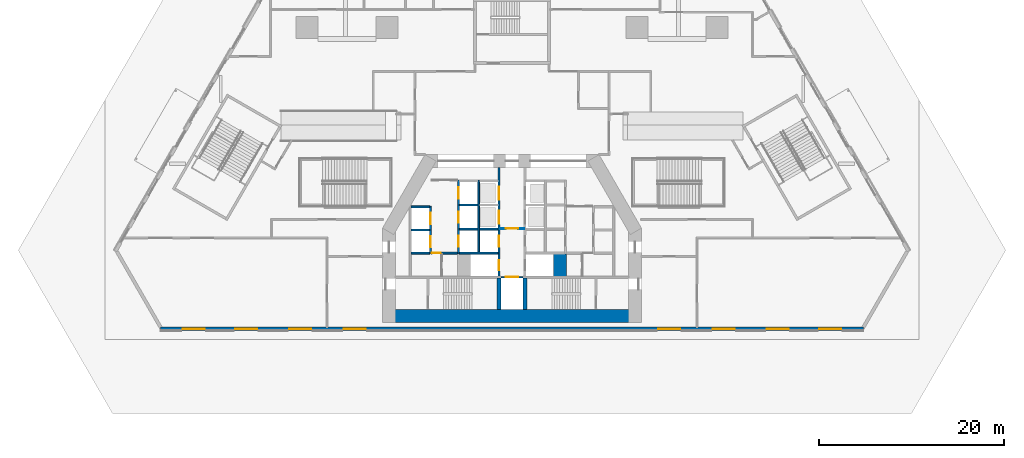
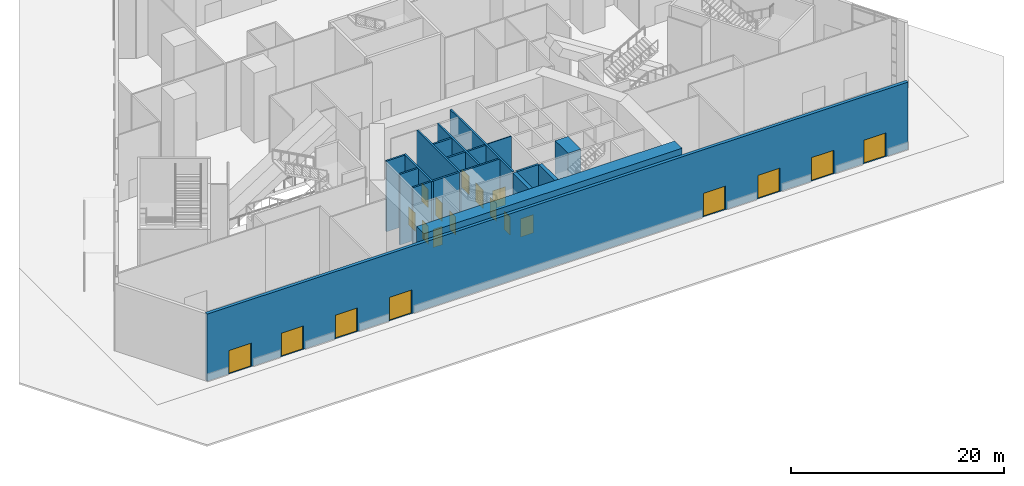
# One storey, part 13 of 24: 20 doors, 19 walls, 20 openings.
"""IFC4 building model written with IfcOpenShell, lengths in metres."""

from ifc_helpers import new_model, si_unit, direction, frame, frame_2d, origin, place, context, subcontext, project, spatial, rectangle, extrude, material, layer, layer_set, type_object, element, fill, save


model = new_model("IFC4")

# Units and contexts
model_context = context("Model", 3, precision=1e-05, world=origin(), true_north=direction((0.0, 1.0)))
body_context = subcontext(model_context, "Body", "Model", "MODEL_VIEW")
ifc_project = project(units=[si_unit("LENGTHUNIT", "METRE"), si_unit("AREAUNIT", "SQUARE_METRE"), si_unit("VOLUMEUNIT", "CUBIC_METRE"), si_unit("PLANEANGLEUNIT", "RADIAN"), si_unit("MASSUNIT", "GRAM", prefix="KILO")], contexts=[model_context])

# Site, building, storey
site_placement = place(None, origin())
site = spatial("IfcSite", under=ifc_project, at=site_placement, CompositionType="ELEMENT")
building_placement = place(site_placement, origin())
building = spatial("IfcBuilding", under=site, at=building_placement, Name="Fogline Exchange Tower", CompositionType="ELEMENT")
storey_placement = place(building_placement, origin())
storey = spatial("IfcBuildingStorey", under=building, at=storey_placement, Name="L00", CompositionType="ELEMENT", Elevation=0.0)

# Wall, opening, door
ifc_material_1 = material(Name="Blockwork partition", Category="masonry")
ifc_layer_1 = layer(ifc_material_1, 0.10009765625)
ifc_layer_set_1 = layer_set([ifc_layer_1], Name="CW10")
wall_type_1 = type_object("IfcWallType", Name="CW10", PredefinedType="PARTITIONING", material=ifc_layer_set_1)
wall_1_placement = place(storey_placement, frame((-1.300048828125, 11.0, 0.0), z_axis=(0.0, 0.0, 1.0), x_axis=(1.0, 0.0, 0.0)))
wall_1 = element("IfcWall", 1, at=wall_1_placement, inside=storey, type_object=wall_type_1, Name="Lift lobby partition", PredefinedType="PARTITIONING", context=body_context, shape_type="SweptSolid", body=[
    extrude(rectangle(XDim=2.60009765625, YDim=0.10009765625, at=frame_2d((1.300048828125, 0.0))), origin(), (0.0, 0.0, 1.0), 7.699951171875),
])
opening_1_placement = place(wall_1_placement, frame((0.60009765625, 0.0, 0.0)))
opening_1 = element("IfcOpeningElement", 2, at=opening_1_placement, cuts=wall_1, Name="Opening P00-C019", PredefinedType="OPENING", context=body_context, shape_type="SweptSolid", body=[
    extrude(rectangle(XDim=1.39990234375, YDim=2.10009765625, at=frame_2d((0.699951171875, 1.050048828125))), frame((0.0, 0.06005859375, 0.0), z_axis=(0.0, -1.0, 0.0), x_axis=(1.0, 0.0, 0.0)), (0.0, 0.0, 1.0), 0.1201171875),
])
ifc_material_2 = material(Name="Steel and timber fire door", Category="steel")
door_type_1 = type_object("IfcDoorType", Name="D-LB1", OperationType="DOUBLE_DOOR_SINGLE_SWING", PredefinedType="DOOR", material=ifc_material_2)
door_1_placement = place(opening_1_placement, frame((1.39990234375, 0.0, 0.0), z_axis=(0.0, 0.0, 1.0), x_axis=(-1.0, 0.0, 0.0)))
door_1 = element("IfcDoor", 3, at=door_1_placement, inside=storey, type_object=door_type_1, Name="Door to firefighting lift lobby", OperationType="DOUBLE_DOOR_SINGLE_SWING", OverallHeight=2.10009765625, OverallWidth=1.39990234375, PredefinedType="DOOR", context=body_context, shape_type="SweptSolid", body=[
    extrude(rectangle(XDim=1.39990234375, YDim=2.10009765625, at=frame_2d((0.699951171875, 1.050048828125))), frame((0.0, 0.02490234375, 0.0), z_axis=(0.0, -1.0, 0.0), x_axis=(1.0, 0.0, 0.0)), (0.0, 0.0, 1.0), 0.050048828125),
])
fill(opening_1, door_1)

# Wall
ifc_material_3 = material(Name="Concrete C60", Category="concrete")
ifc_layer_2 = layer(ifc_material_3, 1.39990234375)
ifc_layer_set_2 = layer_set([ifc_layer_2], Name="CW140")
wall_type_2 = type_object("IfcWallType", Name="CW140", PredefinedType="SOLIDWALL", material=ifc_layer_set_2)
wall_2_placement = place(storey_placement, frame((5.199951171875, 5.85009765625, -0.39990234375), z_axis=(0.0, 0.0, 1.0), x_axis=(0.0, 1.0, 0.0)))
element("IfcWall", 4, at=wall_2_placement, inside=storey, type_object=wall_type_2, Name="Lift shaft block wall", PredefinedType="SOLIDWALL", context=body_context, shape_type="SweptSolid", body=[
    extrude(rectangle(XDim=2.39990234375, YDim=1.39990234375, at=frame_2d((1.199951171875, 0.0))), origin(), (0.0, 0.0, 1.0), 8.099853515625),
])

# Wall, opening, door
ifc_material_4 = material(Name="Concrete C40", Category="concrete")
ifc_layer_3 = layer(ifc_material_4, 0.199951171875)
ifc_layer_set_3 = layer_set([ifc_layer_3], Name="CW20")
wall_type_3 = type_object("IfcWallType", Name="CW20", PredefinedType="SOLIDWALL", material=ifc_layer_set_3)
wall_3_placement = place(storey_placement, frame((-8.699951171875, 8.35009765625, 0.0), z_axis=(0.0, 0.0, 1.0), x_axis=(1.0, 0.0, 0.0)))
wall_3 = element("IfcWall", 5, at=wall_3_placement, inside=storey, type_object=wall_type_3, Name="WC wall", PredefinedType="SOLIDWALL", context=body_context, shape_type="SweptSolid", body=[
    extrude(rectangle(XDim=2.800048828125, YDim=0.199951171875, at=frame_2d((1.39990234375, 0.0))), origin(), (0.0, 0.0, 1.0), 7.699951171875),
])
opening_2_placement = place(wall_3_placement, origin())
opening_2 = element("IfcOpeningElement", 6, at=opening_2_placement, cuts=wall_3, Name="Opening P00-C008", PredefinedType="OPENING", context=body_context, shape_type="SweptSolid", body=[
    extrude(rectangle(XDim=1.0, YDim=2.10009765625, at=frame_2d((0.5, 1.050048828125))), frame((0.0, 0.10986328125, 0.0), z_axis=(0.0, -1.0, 0.0), x_axis=(1.0, 0.0, 0.0)), (0.0, 0.0, 1.0), 0.219970703125),
])
door_type_2 = type_object("IfcDoorType", Name="D-WC1", OperationType="SINGLE_SWING_LEFT", PredefinedType="DOOR", material=ifc_material_2)
door_2_placement = place(opening_2_placement, frame((1.0, 0.0, 0.0), z_axis=(0.0, 0.0, 1.0), x_axis=(-1.0, 0.0, 0.0)))
door_2 = element("IfcDoor", 7, at=door_2_placement, inside=storey, type_object=door_type_2, Name="Door to Men's WC", OperationType="SINGLE_SWING_LEFT", OverallHeight=2.10009765625, OverallWidth=1.0, PredefinedType="DOOR", context=body_context, shape_type="SweptSolid", body=[
    extrude(rectangle(XDim=1.0, YDim=2.10009765625, at=frame_2d((0.5, 1.050048828125))), frame((0.0, 0.02490234375, 0.0), z_axis=(0.0, -1.0, 0.0), x_axis=(1.0, 0.0, 0.0)), (0.0, 0.0, 1.0), 0.050048828125),
])
fill(opening_2, door_2)

ifc_layer_4 = layer(ifc_material_4, 0.199951171875)
ifc_layer_set_4 = layer_set([ifc_layer_4], Name="CW20R")
wall_type_4 = type_object("IfcWallType", Name="CW20R", PredefinedType="SOLIDWALL", material=ifc_layer_set_4)
wall_4_placement = place(storey_placement, frame((-1.199951171875, 5.75, -0.39990234375), z_axis=(0.0, 0.0, 1.0), x_axis=(1.0, 0.0, 0.0)))
wall_4 = element("IfcWall", 8, at=wall_4_placement, inside=storey, type_object=wall_type_4, Name="Stair enclosure wall", PredefinedType="SOLIDWALL", context=body_context, shape_type="SweptSolid", body=[
    extrude(rectangle(XDim=2.39990234375, YDim=0.199951171875, at=frame_2d((1.199951171875, 0.0))), origin(), (0.0, 0.0, 1.0), 8.099853515625),
])
opening_3_placement = place(wall_4_placement, frame((0.5, 0.0, 0.39990234375)))
opening_3 = element("IfcOpeningElement", 9, at=opening_3_placement, cuts=wall_4, Name="Opening P00-LD13", PredefinedType="OPENING", context=body_context, shape_type="SweptSolid", body=[
    extrude(rectangle(XDim=1.39990234375, YDim=2.10009765625, at=frame_2d((0.699951171875, 1.050048828125))), frame((0.0, 0.10986328125, 0.0), z_axis=(0.0, -1.0, 0.0), x_axis=(1.0, 0.0, 0.0)), (0.0, 0.0, 1.0), 0.219970703125),
])
door_type_3 = type_object("IfcDoorType", Name="LD3", OperationType="SLIDING_TO_LEFT", PredefinedType="DOOR", material=ifc_material_2)
door_3_placement = place(opening_3_placement, origin())
door_3 = element("IfcDoor", 10, at=door_3_placement, inside=storey, type_object=door_type_3, Name="Landing door GL1", OperationType="SLIDING_TO_LEFT", OverallHeight=2.10009765625, OverallWidth=1.39990234375, PredefinedType="DOOR", context=body_context, shape_type="SweptSolid", body=[
    extrude(rectangle(XDim=1.39990234375, YDim=2.10009765625, at=frame_2d((0.699951171875, 1.050048828125))), frame((0.0, 0.02490234375, 0.0), z_axis=(0.0, -1.0, 0.0), x_axis=(1.0, 0.0, 0.0)), (0.0, 0.0, 1.0), 0.050048828125),
])
fill(opening_3, door_3)

# Wall, openings, doors
ifc_layer_5 = layer(ifc_material_4, 0.199951171875)
ifc_layer_set_5 = layer_set([ifc_layer_5], Name="CW20S")
wall_type_5 = type_object("IfcWallType", Name="CW20S", PredefinedType="SOLIDWALL", material=ifc_layer_set_5)
wall_5_placement = place(storey_placement, frame((-8.800048828125, 8.25, -0.39990234375), z_axis=(0.0, 0.0, 1.0), x_axis=(0.0, 1.0, 0.0)))
wall_5 = element("IfcWall", 11, at=wall_5_placement, inside=storey, type_object=wall_type_5, Name="Lift shaft wall", PredefinedType="SOLIDWALL", context=body_context, shape_type="SweptSolid", body=[
    extrude(rectangle(XDim=5.199951171875, YDim=0.199951171875, at=frame_2d((2.60009765625, 0.0))), origin(), (0.0, 0.0, 1.0), 8.099853515625),
])
opening_4_placement = place(wall_5_placement, frame((0.75, 0.0, 0.39990234375)))
opening_4 = element("IfcOpeningElement", 12, at=opening_4_placement, cuts=wall_5, Name="Opening P00-LD01", PredefinedType="OPENING", context=body_context, shape_type="SweptSolid", body=[
    extrude(rectangle(XDim=1.199951171875, YDim=2.10009765625, at=frame_2d((0.60009765625, 1.050048828125))), frame((0.0, 0.10986328125, 0.0), z_axis=(0.0, -1.0, 0.0), x_axis=(1.0, 0.0, 0.0)), (0.0, 0.0, 1.0), 0.219970703125),
])
opening_5_placement = place(wall_5_placement, frame((3.25, 0.0, 0.39990234375)))
opening_5 = element("IfcOpeningElement", 13, at=opening_5_placement, cuts=wall_5, Name="Opening P00-LD02", PredefinedType="OPENING", context=body_context, shape_type="SweptSolid", body=[
    extrude(rectangle(XDim=1.199951171875, YDim=2.10009765625, at=frame_2d((0.60009765625, 1.050048828125))), frame((0.0, 0.10986328125, 0.0), z_axis=(0.0, -1.0, 0.0), x_axis=(1.0, 0.0, 0.0)), (0.0, 0.0, 1.0), 0.219970703125),
])
door_type_4 = type_object("IfcDoorType", Name="LD1", OperationType="SLIDING_TO_LEFT", PredefinedType="DOOR", material=ifc_material_2)
door_4_placement = place(opening_4_placement, origin())
door_4 = element("IfcDoor", 14, at=door_4_placement, inside=storey, type_object=door_type_4, Name="Landing door LR1", OperationType="SLIDING_TO_LEFT", OverallHeight=2.10009765625, OverallWidth=1.199951171875, PredefinedType="DOOR", context=body_context, shape_type="SweptSolid", body=[
    extrude(rectangle(XDim=1.199951171875, YDim=2.10009765625, at=frame_2d((0.60009765625, 1.050048828125))), frame((0.0, 0.02490234375, 0.0), z_axis=(0.0, -1.0, 0.0), x_axis=(1.0, 0.0, 0.0)), (0.0, 0.0, 1.0), 0.050048828125),
])
fill(opening_4, door_4)
door_5_placement = place(opening_5_placement, origin())
door_5 = element("IfcDoor", 15, at=door_5_placement, inside=storey, type_object=door_type_4, Name="Landing door LR2", OperationType="SLIDING_TO_LEFT", OverallHeight=2.10009765625, OverallWidth=1.199951171875, PredefinedType="DOOR", context=body_context, shape_type="SweptSolid", body=[
    extrude(rectangle(XDim=1.199951171875, YDim=2.10009765625, at=frame_2d((0.60009765625, 1.050048828125))), frame((0.0, 0.02490234375, 0.0), z_axis=(0.0, -1.0, 0.0), x_axis=(1.0, 0.0, 0.0)), (0.0, 0.0, 1.0), 0.050048828125),
])
fill(opening_5, door_5)

wall_6_placement = place(storey_placement, frame((-5.800048828125, 8.25, -0.39990234375), z_axis=(0.0, 0.0, 1.0), x_axis=(0.0, 1.0, 0.0)))
wall_6 = element("IfcWall", 16, at=wall_6_placement, inside=storey, type_object=wall_type_5, Name="Lift shaft wall", PredefinedType="SOLIDWALL", context=body_context, shape_type="SweptSolid", body=[
    extrude(rectangle(XDim=8.0, YDim=0.199951171875, at=frame_2d((4.0, 0.0))), origin(), (0.0, 0.0, 1.0), 8.099853515625),
])
opening_6_placement = place(wall_6_placement, frame((0.800048828125, 0.0, 0.39990234375)))
opening_6 = element("IfcOpeningElement", 17, at=opening_6_placement, cuts=wall_6, Name="Opening P00-LD03", PredefinedType="OPENING", context=body_context, shape_type="SweptSolid", body=[
    extrude(rectangle(XDim=1.199951171875, YDim=2.10009765625, at=frame_2d((0.60009765625, 1.050048828125))), frame((0.0, 0.10986328125, 0.0), z_axis=(0.0, -1.0, 0.0), x_axis=(1.0, 0.0, 0.0)), (0.0, 0.0, 1.0), 0.219970703125),
])
opening_7_placement = place(wall_6_placement, frame((3.39990234375, 0.0, 0.39990234375)))
opening_7 = element("IfcOpeningElement", 18, at=opening_7_placement, cuts=wall_6, Name="Opening P00-LD04", PredefinedType="OPENING", context=body_context, shape_type="SweptSolid", body=[
    extrude(rectangle(XDim=1.199951171875, YDim=2.10009765625, at=frame_2d((0.60009765625, 1.050048828125))), frame((0.0, 0.10986328125, 0.0), z_axis=(0.0, -1.0, 0.0), x_axis=(1.0, 0.0, 0.0)), (0.0, 0.0, 1.0), 0.219970703125),
])
opening_8_placement = place(wall_6_placement, frame((6.0, 0.0, 0.39990234375)))
opening_8 = element("IfcOpeningElement", 19, at=opening_8_placement, cuts=wall_6, Name="Opening P00-LD05", PredefinedType="OPENING", context=body_context, shape_type="SweptSolid", body=[
    extrude(rectangle(XDim=1.199951171875, YDim=2.10009765625, at=frame_2d((0.60009765625, 1.050048828125))), frame((0.0, 0.10986328125, 0.0), z_axis=(0.0, -1.0, 0.0), x_axis=(1.0, 0.0, 0.0)), (0.0, 0.0, 1.0), 0.219970703125),
])
door_6_placement = place(opening_6_placement, origin())
door_6 = element("IfcDoor", 20, at=door_6_placement, inside=storey, type_object=door_type_4, Name="Landing door LR3", OperationType="SLIDING_TO_LEFT", OverallHeight=2.10009765625, OverallWidth=1.199951171875, PredefinedType="DOOR", context=body_context, shape_type="SweptSolid", body=[
    extrude(rectangle(XDim=1.199951171875, YDim=2.10009765625, at=frame_2d((0.60009765625, 1.050048828125))), frame((0.0, 0.02490234375, 0.0), z_axis=(0.0, -1.0, 0.0), x_axis=(1.0, 0.0, 0.0)), (0.0, 0.0, 1.0), 0.050048828125),
])
fill(opening_6, door_6)
door_7_placement = place(opening_7_placement, origin())
door_7 = element("IfcDoor", 21, at=door_7_placement, inside=storey, type_object=door_type_4, Name="Landing door LR4", OperationType="SLIDING_TO_LEFT", OverallHeight=2.10009765625, OverallWidth=1.199951171875, PredefinedType="DOOR", context=body_context, shape_type="SweptSolid", body=[
    extrude(rectangle(XDim=1.199951171875, YDim=2.10009765625, at=frame_2d((0.60009765625, 1.050048828125))), frame((0.0, 0.02490234375, 0.0), z_axis=(0.0, -1.0, 0.0), x_axis=(1.0, 0.0, 0.0)), (0.0, 0.0, 1.0), 0.050048828125),
])
fill(opening_7, door_7)
door_8_placement = place(opening_8_placement, origin())
door_8 = element("IfcDoor", 22, at=door_8_placement, inside=storey, type_object=door_type_4, Name="Landing door LR5", OperationType="SLIDING_TO_LEFT", OverallHeight=2.10009765625, OverallWidth=1.199951171875, PredefinedType="DOOR", context=body_context, shape_type="SweptSolid", body=[
    extrude(rectangle(XDim=1.199951171875, YDim=2.10009765625, at=frame_2d((0.60009765625, 1.050048828125))), frame((0.0, 0.02490234375, 0.0), z_axis=(0.0, -1.0, 0.0), x_axis=(1.0, 0.0, 0.0)), (0.0, 0.0, 1.0), 0.050048828125),
])
fill(opening_8, door_8)

# Wall
wall_7_placement = place(storey_placement, frame((-3.60009765625, 8.449951171875, -0.39990234375), z_axis=(0.0, 0.0, 1.0), x_axis=(0.0, 1.0, 0.0)))
element("IfcWall", 23, at=wall_7_placement, inside=storey, type_object=wall_type_5, Name="Lift shaft wall", PredefinedType="SOLIDWALL", context=body_context, shape_type="SweptSolid", body=[
    extrude(rectangle(XDim=7.800048828125, YDim=0.199951171875, at=frame_2d((3.89990234375, 0.0))), origin(), (0.0, 0.0, 1.0), 8.099853515625),
])

# Wall, openings, doors
wall_8_placement = place(storey_placement, frame((-1.39990234375, 5.85009765625, -0.39990234375), z_axis=(0.0, 0.0, 1.0), x_axis=(0.0, 1.0, 0.0)))
wall_8 = element("IfcWall", 24, at=wall_8_placement, inside=storey, type_object=wall_type_5, Name="Lift lobby wall", PredefinedType="SOLIDWALL", context=body_context, shape_type="SweptSolid", body=[
    extrude(rectangle(XDim=11.75, YDim=0.199951171875, at=frame_2d((5.875, 0.0))), origin(), (0.0, 0.0, 1.0), 8.099853515625),
])
opening_9_placement = place(wall_8_placement, frame((3.199951171875, 0.0, 0.39990234375)))
opening_9 = element("IfcOpeningElement", 25, at=opening_9_placement, cuts=wall_8, Name="Opening P00-LD06", PredefinedType="OPENING", context=body_context, shape_type="SweptSolid", body=[
    extrude(rectangle(XDim=1.199951171875, YDim=2.10009765625, at=frame_2d((0.60009765625, 1.050048828125))), frame((0.0, 0.10986328125, 0.0), z_axis=(0.0, -1.0, 0.0), x_axis=(1.0, 0.0, 0.0)), (0.0, 0.0, 1.0), 0.219970703125),
])
opening_10_placement = place(wall_8_placement, frame((5.699951171875, 0.0, 0.39990234375)))
opening_10 = element("IfcOpeningElement", 26, at=opening_10_placement, cuts=wall_8, Name="Opening P00-LD07", PredefinedType="OPENING", context=body_context, shape_type="SweptSolid", body=[
    extrude(rectangle(XDim=1.39990234375, YDim=2.10009765625, at=frame_2d((0.699951171875, 1.050048828125))), frame((0.0, 0.10986328125, 0.0), z_axis=(0.0, -1.0, 0.0), x_axis=(1.0, 0.0, 0.0)), (0.0, 0.0, 1.0), 0.219970703125),
])
opening_11_placement = place(wall_8_placement, frame((8.300048828125, 0.0, 0.39990234375)))
opening_11 = element("IfcOpeningElement", 27, at=opening_11_placement, cuts=wall_8, Name="Opening P00-LD08", PredefinedType="OPENING", context=body_context, shape_type="SweptSolid", body=[
    extrude(rectangle(XDim=1.39990234375, YDim=2.10009765625, at=frame_2d((0.699951171875, 1.050048828125))), frame((0.0, 0.10986328125, 0.0), z_axis=(0.0, -1.0, 0.0), x_axis=(1.0, 0.0, 0.0)), (0.0, 0.0, 1.0), 0.219970703125),
])
opening_12_placement = place(wall_8_placement, frame((0.64990234375, 0.0, 0.39990234375)))
opening_12 = element("IfcOpeningElement", 28, at=opening_12_placement, cuts=wall_8, Name="Opening P00-LD09", PredefinedType="OPENING", context=body_context, shape_type="SweptSolid", body=[
    extrude(rectangle(XDim=1.10009765625, YDim=2.10009765625, at=frame_2d((0.550048828125, 1.050048828125))), frame((0.0, 0.10986328125, 0.0), z_axis=(0.0, -1.0, 0.0), x_axis=(1.0, 0.0, 0.0)), (0.0, 0.0, 1.0), 0.219970703125),
])
door_9_placement = place(opening_9_placement, origin())
door_9 = element("IfcDoor", 29, at=door_9_placement, inside=storey, type_object=door_type_4, Name="Landing door LR6", OperationType="SLIDING_TO_LEFT", OverallHeight=2.10009765625, OverallWidth=1.199951171875, PredefinedType="DOOR", context=body_context, shape_type="SweptSolid", body=[
    extrude(rectangle(XDim=1.199951171875, YDim=2.10009765625, at=frame_2d((0.60009765625, 1.050048828125))), frame((0.0, 0.02490234375, 0.0), z_axis=(0.0, -1.0, 0.0), x_axis=(1.0, 0.0, 0.0)), (0.0, 0.0, 1.0), 0.050048828125),
])
fill(opening_9, door_9)
door_type_5 = type_object("IfcDoorType", Name="LD2", OperationType="SLIDING_TO_RIGHT", PredefinedType="DOOR", material=ifc_material_2)
door_10_placement = place(opening_12_placement, origin())
door_10 = element("IfcDoor", 30, at=door_10_placement, inside=storey, type_object=door_type_5, Name="Landing door FF1", OperationType="SLIDING_TO_RIGHT", OverallHeight=2.10009765625, OverallWidth=1.10009765625, PredefinedType="DOOR", context=body_context, shape_type="SweptSolid", body=[
    extrude(rectangle(XDim=1.10009765625, YDim=2.10009765625, at=frame_2d((0.550048828125, 1.050048828125))), frame((0.0, 0.02490234375, 0.0), z_axis=(0.0, -1.0, 0.0), x_axis=(1.0, 0.0, 0.0)), (0.0, 0.0, 1.0), 0.050048828125),
])
fill(opening_12, door_10)
door_11_placement = place(opening_10_placement, origin())
door_11 = element("IfcDoor", 31, at=door_11_placement, inside=storey, type_object=door_type_3, Name="Landing door SH1", OperationType="SLIDING_TO_LEFT", OverallHeight=2.10009765625, OverallWidth=1.39990234375, PredefinedType="DOOR", context=body_context, shape_type="SweptSolid", body=[
    extrude(rectangle(XDim=1.39990234375, YDim=2.10009765625, at=frame_2d((0.699951171875, 1.050048828125))), frame((0.0, 0.02490234375, 0.0), z_axis=(0.0, -1.0, 0.0), x_axis=(1.0, 0.0, 0.0)), (0.0, 0.0, 1.0), 0.050048828125),
])
fill(opening_10, door_11)
door_12_placement = place(opening_11_placement, origin())
door_12 = element("IfcDoor", 32, at=door_12_placement, inside=storey, type_object=door_type_3, Name="Landing door SH2", OperationType="SLIDING_TO_LEFT", OverallHeight=2.10009765625, OverallWidth=1.39990234375, PredefinedType="DOOR", context=body_context, shape_type="SweptSolid", body=[
    extrude(rectangle(XDim=1.39990234375, YDim=2.10009765625, at=frame_2d((0.699951171875, 1.050048828125))), frame((0.0, 0.02490234375, 0.0), z_axis=(0.0, -1.0, 0.0), x_axis=(1.0, 0.0, 0.0)), (0.0, 0.0, 1.0), 0.050048828125),
])
fill(opening_11, door_12)

# Walls
wall_9_placement = place(storey_placement, frame((-10.89990234375, 8.35009765625, -0.39990234375), z_axis=(0.0, 0.0, 1.0), x_axis=(1.0, 0.0, 0.0)))
element("IfcWall", 33, at=wall_9_placement, inside=storey, type_object=wall_type_5, Name="Lift shaft wall", PredefinedType="SOLIDWALL", context=body_context, shape_type="SweptSolid", body=[
    extrude(rectangle(XDim=2.0, YDim=0.199951171875, at=frame_2d((1.0, 0.0))), origin(), (0.0, 0.0, 1.0), 8.099853515625),
])
wall_10_placement = place(storey_placement, frame((-5.699951171875, 8.35009765625, -0.39990234375), z_axis=(0.0, 0.0, 1.0), x_axis=(1.0, 0.0, 0.0)))
element("IfcWall", 34, at=wall_10_placement, inside=storey, type_object=wall_type_5, Name="Lift shaft wall", PredefinedType="SOLIDWALL", context=body_context, shape_type="SweptSolid", body=[
    extrude(rectangle(XDim=4.199951171875, YDim=0.199951171875, at=frame_2d((2.10009765625, 0.0))), origin(), (0.0, 0.0, 1.0), 8.099853515625),
])
for number, where, z_axis, x_axis, name in (
    (35, (-10.89990234375, 10.85009765625, -0.39990234375), (0.0, 0.0, 1.0), (1.0, 0.0, 0.0), "Lift shaft wall"),
    (36, (-10.89990234375, 13.35009765625, -0.39990234375), (0.0, 0.0, 1.0), (1.0, 0.0, 0.0), "Lift shaft wall"),
    (37, (-5.699951171875, 10.949951171875, -0.39990234375), (0.0, 0.0, 1.0), (1.0, 0.0, 0.0), "Lift shaft wall"),
    (38, (-5.699951171875, 13.550048828125, -0.39990234375), (0.0, 0.0, 1.0), (1.0, 0.0, 0.0), "Lift shaft wall"),
    (39, (-3.5, 10.949951171875, -0.39990234375), (0.0, 0.0, 1.0), (1.0, 0.0, 0.0), "Lift shaft wall"),
):
    element("IfcWall", number, at=place(storey_placement, frame(where, z_axis=z_axis, x_axis=x_axis)), inside=storey, type_object=wall_type_5, Name=name, PredefinedType="SOLIDWALL", context=body_context, shape_type="SweptSolid", body=[
        extrude(rectangle(XDim=2.0, YDim=0.199951171875, at=frame_2d((1.0, 0.0))), origin(), (0.0, 0.0, 1.0), 8.099853515625),
    ])
ifc_layer_6 = layer(ifc_material_4, 0.39990234375)
ifc_layer_set_6 = layer_set([ifc_layer_6], Name="CW40R")
wall_type_6 = type_object("IfcWallType", Name="CW40R", PredefinedType="SOLIDWALL", material=ifc_layer_set_6)
for number, where, z_axis, x_axis, name in (
    (40, (-1.39990234375, 2.25, -0.39990234375), (0.0, 0.0, 1.0), (0.0, 1.0, 0.0), "Stair and lift shaft wall"),
    (41, (1.39990234375, 2.25, -0.39990234375), (0.0, 0.0, 1.0), (0.0, 1.0, 0.0), "Stair and lift shaft wall"),
):
    element("IfcWall", number, at=place(storey_placement, frame(where, z_axis=z_axis, x_axis=x_axis)), inside=storey, type_object=wall_type_6, Name=name, PredefinedType="SOLIDWALL", context=body_context, shape_type="SweptSolid", body=[
        extrude(rectangle(XDim=3.39990234375, YDim=0.39990234375, at=frame_2d((1.699951171875, 0.0))), origin(), (0.0, 0.0, 1.0), 8.099853515625),
    ])

# Wall, openings, doors
ifc_material_5 = material(Name="Brick masonry", Category="masonry")
ifc_layer_7 = layer(ifc_material_5, 0.340087890625)
ifc_layer_set_7 = layer_set([ifc_layer_7], Name="FW1")
wall_type_7 = type_object("IfcWallType", Name="FW1", PredefinedType="SOLIDWALL", material=ifc_layer_set_7)
wall_11_placement = place(storey_placement, frame((-38.0, 0.169921875, 0.0), z_axis=(0.0, 0.0, 1.0), x_axis=(1.0, 0.0, 0.0)))
wall_11 = element("IfcWall", 42, at=wall_11_placement, inside=storey, type_object=wall_type_7, Name="Brick wall L00 S", PredefinedType="SOLIDWALL", context=body_context, shape_type="SweptSolid", body=[
    extrude(rectangle(XDim=76.0, YDim=0.340087890625, at=frame_2d((38.0, 0.0))), origin(), (0.0, 0.0, 1.0), 7.699951171875),
])
opening_13_placement = place(wall_11_placement, frame((2.39990234375, 0.0, 0.0)))
opening_13 = element("IfcOpeningElement", 43, at=opening_13_placement, cuts=wall_11, Name="Opening P00-E011", PredefinedType="OPENING", context=body_context, shape_type="SweptSolid", body=[
    extrude(rectangle(XDim=2.39990234375, YDim=2.699951171875, at=frame_2d((1.199951171875, 1.35009765625))), frame((0.0, 0.18017578125, 0.0), z_axis=(0.0, -1.0, 0.0), x_axis=(1.0, 0.0, 0.0)), (0.0, 0.0, 1.0), 0.360107421875),
])
opening_14_placement = place(wall_11_placement, frame((8.050048828125, 0.0, 0.0)))
opening_14 = element("IfcOpeningElement", 44, at=opening_14_placement, cuts=wall_11, Name="Opening P00-E012", PredefinedType="OPENING", context=body_context, shape_type="SweptSolid", body=[
    extrude(rectangle(XDim=2.39990234375, YDim=2.699951171875, at=frame_2d((1.199951171875, 1.35009765625))), frame((0.0, 0.18017578125, 0.0), z_axis=(0.0, -1.0, 0.0), x_axis=(1.0, 0.0, 0.0)), (0.0, 0.0, 1.0), 0.360107421875),
])
opening_15_placement = place(wall_11_placement, frame((13.89990234375, 0.0, 0.0)))
opening_15 = element("IfcOpeningElement", 45, at=opening_15_placement, cuts=wall_11, Name="Opening P00-E013", PredefinedType="OPENING", context=body_context, shape_type="SweptSolid", body=[
    extrude(rectangle(XDim=2.39990234375, YDim=2.699951171875, at=frame_2d((1.199951171875, 1.35009765625))), frame((0.0, 0.18017578125, 0.0), z_axis=(0.0, -1.0, 0.0), x_axis=(1.0, 0.0, 0.0)), (0.0, 0.0, 1.0), 0.360107421875),
])
opening_16_placement = place(wall_11_placement, frame((59.699951171875, 0.0, 0.0)))
opening_16 = element("IfcOpeningElement", 46, at=opening_16_placement, cuts=wall_11, Name="Opening P00-E014", PredefinedType="OPENING", context=body_context, shape_type="SweptSolid", body=[
    extrude(rectangle(XDim=2.39990234375, YDim=2.699951171875, at=frame_2d((1.199951171875, 1.35009765625))), frame((0.0, 0.18017578125, 0.0), z_axis=(0.0, -1.0, 0.0), x_axis=(1.0, 0.0, 0.0)), (0.0, 0.0, 1.0), 0.360107421875),
])
opening_17_placement = place(wall_11_placement, frame((65.550048828125, 0.0, 0.0)))
opening_17 = element("IfcOpeningElement", 47, at=opening_17_placement, cuts=wall_11, Name="Opening P00-E015", PredefinedType="OPENING", context=body_context, shape_type="SweptSolid", body=[
    extrude(rectangle(XDim=2.39990234375, YDim=2.699951171875, at=frame_2d((1.199951171875, 1.35009765625))), frame((0.0, 0.18017578125, 0.0), z_axis=(0.0, -1.0, 0.0), x_axis=(1.0, 0.0, 0.0)), (0.0, 0.0, 1.0), 0.360107421875),
])
opening_18_placement = place(wall_11_placement, frame((71.199951171875, 0.0, 0.0)))
opening_18 = element("IfcOpeningElement", 48, at=opening_18_placement, cuts=wall_11, Name="Opening P00-E016", PredefinedType="OPENING", context=body_context, shape_type="SweptSolid", body=[
    extrude(rectangle(XDim=2.39990234375, YDim=2.699951171875, at=frame_2d((1.199951171875, 1.35009765625))), frame((0.0, 0.18017578125, 0.0), z_axis=(0.0, -1.0, 0.0), x_axis=(1.0, 0.0, 0.0)), (0.0, 0.0, 1.0), 0.360107421875),
])
opening_19_placement = place(wall_11_placement, frame((19.800048828125, 0.0, 0.0)))
opening_19 = element("IfcOpeningElement", 49, at=opening_19_placement, cuts=wall_11, Name="Opening P00-E017", PredefinedType="OPENING", context=body_context, shape_type="SweptSolid", body=[
    extrude(rectangle(XDim=2.39990234375, YDim=2.699951171875, at=frame_2d((1.199951171875, 1.35009765625))), frame((0.0, 0.18017578125, 0.0), z_axis=(0.0, -1.0, 0.0), x_axis=(1.0, 0.0, 0.0)), (0.0, 0.0, 1.0), 0.360107421875),
])
opening_20_placement = place(wall_11_placement, frame((53.800048828125, 0.0, 0.0)))
opening_20 = element("IfcOpeningElement", 50, at=opening_20_placement, cuts=wall_11, Name="Opening P00-E018", PredefinedType="OPENING", context=body_context, shape_type="SweptSolid", body=[
    extrude(rectangle(XDim=2.39990234375, YDim=2.699951171875, at=frame_2d((1.199951171875, 1.35009765625))), frame((0.0, 0.18017578125, 0.0), z_axis=(0.0, -1.0, 0.0), x_axis=(1.0, 0.0, 0.0)), (0.0, 0.0, 1.0), 0.360107421875),
])
ifc_material_6 = material(Name="Aluminium and glass", Category="aluminium")
door_type_6 = type_object("IfcDoorType", Name="ED6", OperationType="SINGLE_SWING_LEFT", PredefinedType="DOOR", material=ifc_material_6)
door_13_placement = place(opening_13_placement, frame((2.39990234375, 0.0, 0.0), z_axis=(0.0, 0.0, 1.0), x_axis=(-1.0, 0.0, 0.0)))
door_13 = element("IfcDoor", 51, at=door_13_placement, inside=storey, type_object=door_type_6, Name="Exit door L00 S", OperationType="DOUBLE_DOOR_SINGLE_SWING", OverallHeight=2.699951171875, OverallWidth=2.39990234375, PredefinedType="DOOR", context=body_context, shape_type="SweptSolid", body=[
    extrude(rectangle(XDim=2.39990234375, YDim=2.699951171875, at=frame_2d((1.199951171875, 1.35009765625))), frame((0.0, 0.02490234375, 0.0), z_axis=(0.0, -1.0, 0.0), x_axis=(1.0, 0.0, 0.0)), (0.0, 0.0, 1.0), 0.050048828125),
])
fill(opening_13, door_13)
door_14_placement = place(opening_14_placement, frame((2.39990234375, 0.0, 0.0), z_axis=(0.0, 0.0, 1.0), x_axis=(-1.0, 0.0, 0.0)))
door_14 = element("IfcDoor", 52, at=door_14_placement, inside=storey, type_object=door_type_6, Name="Exit door L00 S", OperationType="DOUBLE_DOOR_SINGLE_SWING", OverallHeight=2.699951171875, OverallWidth=2.39990234375, PredefinedType="DOOR", context=body_context, shape_type="SweptSolid", body=[
    extrude(rectangle(XDim=2.39990234375, YDim=2.699951171875, at=frame_2d((1.199951171875, 1.35009765625))), frame((0.0, 0.02490234375, 0.0), z_axis=(0.0, -1.0, 0.0), x_axis=(1.0, 0.0, 0.0)), (0.0, 0.0, 1.0), 0.050048828125),
])
fill(opening_14, door_14)
door_15_placement = place(opening_15_placement, frame((2.39990234375, 0.0, 0.0), z_axis=(0.0, 0.0, 1.0), x_axis=(-1.0, 0.0, 0.0)))
door_15 = element("IfcDoor", 53, at=door_15_placement, inside=storey, type_object=door_type_6, Name="Exit door L00 S", OperationType="DOUBLE_DOOR_SINGLE_SWING", OverallHeight=2.699951171875, OverallWidth=2.39990234375, PredefinedType="DOOR", context=body_context, shape_type="SweptSolid", body=[
    extrude(rectangle(XDim=2.39990234375, YDim=2.699951171875, at=frame_2d((1.199951171875, 1.35009765625))), frame((0.0, 0.02490234375, 0.0), z_axis=(0.0, -1.0, 0.0), x_axis=(1.0, 0.0, 0.0)), (0.0, 0.0, 1.0), 0.050048828125),
])
fill(opening_15, door_15)
door_16_placement = place(opening_16_placement, frame((2.39990234375, 0.0, 0.0), z_axis=(0.0, 0.0, 1.0), x_axis=(-1.0, 0.0, 0.0)))
door_16 = element("IfcDoor", 54, at=door_16_placement, inside=storey, type_object=door_type_6, Name="Exit door L00 S", OperationType="DOUBLE_DOOR_SINGLE_SWING", OverallHeight=2.699951171875, OverallWidth=2.39990234375, PredefinedType="DOOR", context=body_context, shape_type="SweptSolid", body=[
    extrude(rectangle(XDim=2.39990234375, YDim=2.699951171875, at=frame_2d((1.199951171875, 1.35009765625))), frame((0.0, 0.02490234375, 0.0), z_axis=(0.0, -1.0, 0.0), x_axis=(1.0, 0.0, 0.0)), (0.0, 0.0, 1.0), 0.050048828125),
])
fill(opening_16, door_16)
door_17_placement = place(opening_17_placement, frame((2.39990234375, 0.0, 0.0), z_axis=(0.0, 0.0, 1.0), x_axis=(-1.0, 0.0, 0.0)))
door_17 = element("IfcDoor", 55, at=door_17_placement, inside=storey, type_object=door_type_6, Name="Exit door L00 S", OperationType="DOUBLE_DOOR_SINGLE_SWING", OverallHeight=2.699951171875, OverallWidth=2.39990234375, PredefinedType="DOOR", context=body_context, shape_type="SweptSolid", body=[
    extrude(rectangle(XDim=2.39990234375, YDim=2.699951171875, at=frame_2d((1.199951171875, 1.35009765625))), frame((0.0, 0.02490234375, 0.0), z_axis=(0.0, -1.0, 0.0), x_axis=(1.0, 0.0, 0.0)), (0.0, 0.0, 1.0), 0.050048828125),
])
fill(opening_17, door_17)
door_18_placement = place(opening_18_placement, frame((2.39990234375, 0.0, 0.0), z_axis=(0.0, 0.0, 1.0), x_axis=(-1.0, 0.0, 0.0)))
door_18 = element("IfcDoor", 56, at=door_18_placement, inside=storey, type_object=door_type_6, Name="Exit door L00 S", OperationType="DOUBLE_DOOR_SINGLE_SWING", OverallHeight=2.699951171875, OverallWidth=2.39990234375, PredefinedType="DOOR", context=body_context, shape_type="SweptSolid", body=[
    extrude(rectangle(XDim=2.39990234375, YDim=2.699951171875, at=frame_2d((1.199951171875, 1.35009765625))), frame((0.0, 0.02490234375, 0.0), z_axis=(0.0, -1.0, 0.0), x_axis=(1.0, 0.0, 0.0)), (0.0, 0.0, 1.0), 0.050048828125),
])
fill(opening_18, door_18)
door_19_placement = place(opening_19_placement, frame((2.39990234375, 0.0, 0.0), z_axis=(0.0, 0.0, 1.0), x_axis=(-1.0, 0.0, 0.0)))
door_19 = element("IfcDoor", 57, at=door_19_placement, inside=storey, type_object=door_type_6, Name="Exit door L00 S", OperationType="DOUBLE_DOOR_SINGLE_SWING", OverallHeight=2.699951171875, OverallWidth=2.39990234375, PredefinedType="DOOR", context=body_context, shape_type="SweptSolid", body=[
    extrude(rectangle(XDim=2.39990234375, YDim=2.699951171875, at=frame_2d((1.199951171875, 1.35009765625))), frame((0.0, 0.02490234375, 0.0), z_axis=(0.0, -1.0, 0.0), x_axis=(1.0, 0.0, 0.0)), (0.0, 0.0, 1.0), 0.050048828125),
])
fill(opening_19, door_19)
door_20_placement = place(opening_20_placement, frame((2.39990234375, 0.0, 0.0), z_axis=(0.0, 0.0, 1.0), x_axis=(-1.0, 0.0, 0.0)))
door_20 = element("IfcDoor", 58, at=door_20_placement, inside=storey, type_object=door_type_6, Name="Exit door L00 S", OperationType="DOUBLE_DOOR_SINGLE_SWING", OverallHeight=2.699951171875, OverallWidth=2.39990234375, PredefinedType="DOOR", context=body_context, shape_type="SweptSolid", body=[
    extrude(rectangle(XDim=2.39990234375, YDim=2.699951171875, at=frame_2d((1.199951171875, 1.35009765625))), frame((0.0, 0.02490234375, 0.0), z_axis=(0.0, -1.0, 0.0), x_axis=(1.0, 0.0, 0.0)), (0.0, 0.0, 1.0), 0.050048828125),
])
fill(opening_20, door_20)

# Wall
ifc_layer_8 = layer(ifc_material_3, 1.39990234375)
ifc_layer_set_8 = layer_set([ifc_layer_8], Name="SW01")
wall_type_8 = type_object("IfcWallType", Name="SW01", PredefinedType="SHEAR", material=ifc_layer_set_8)
wall_12_placement = place(storey_placement, frame((-14.0, 1.550048828125, 0.0), z_axis=(0.0, 0.0, 1.0), x_axis=(1.0, 0.0, 0.0)))
element("IfcWall", 59, at=wall_12_placement, inside=storey, type_object=wall_type_8, Name="L00-W901", PredefinedType="SHEAR", context=body_context, shape_type="SweptSolid", body=[
    extrude(rectangle(XDim=28.0, YDim=1.39990234375, at=frame_2d((14.0, 0.0))), origin(), (0.0, 0.0, 1.0), 8.0),
])

save(model, "model.ifc")
